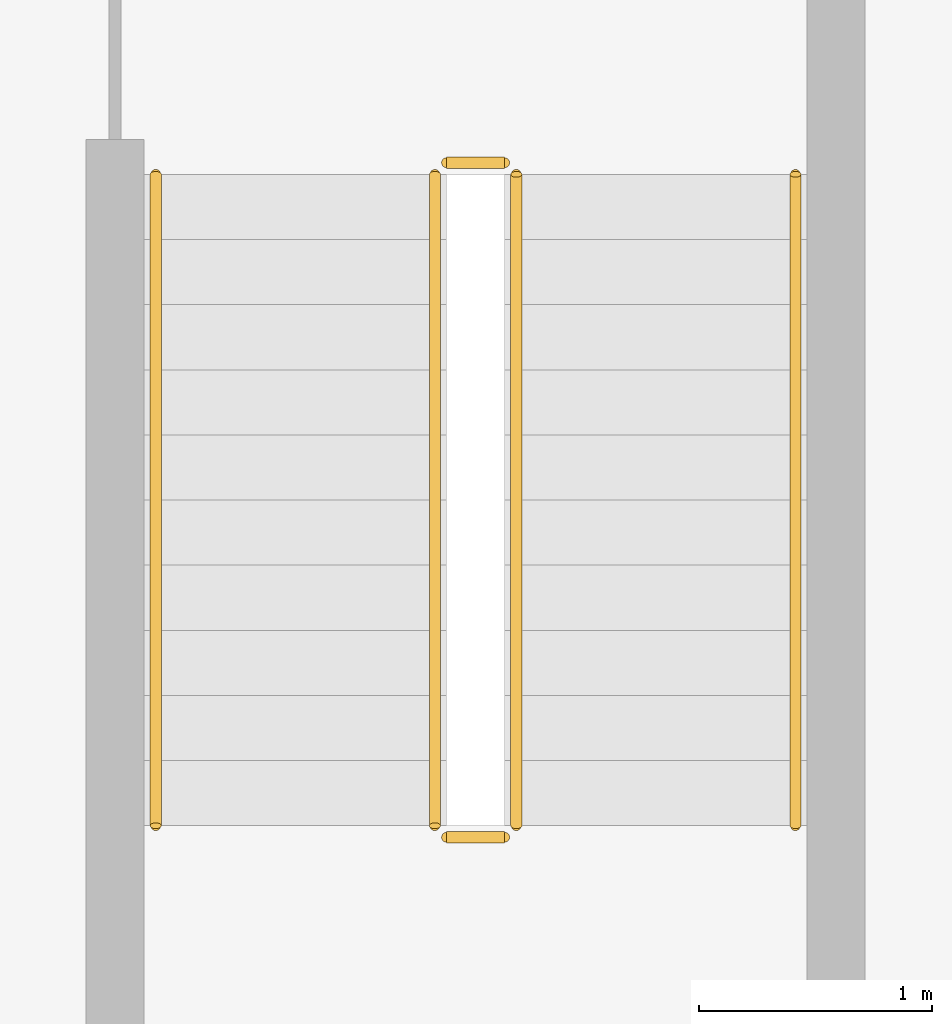
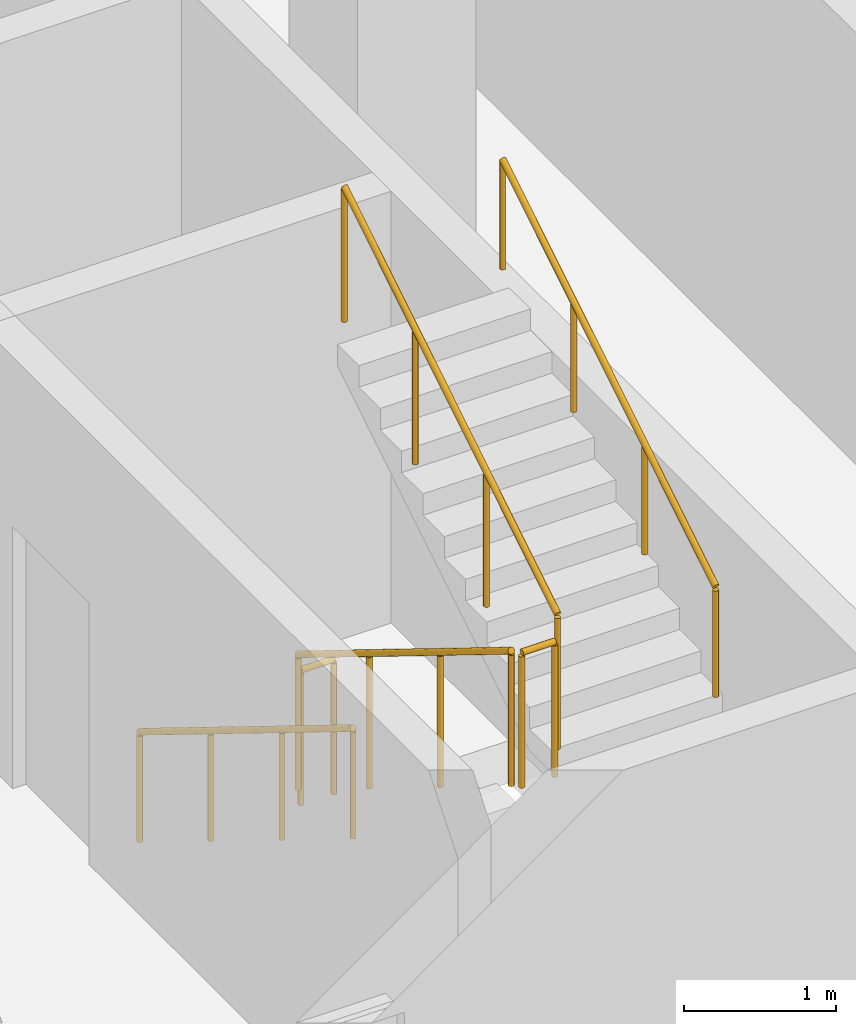
# One storey, part 25 of 28: 6 railings.
"""IFC4 building model written with IfcOpenShell, lengths in metres."""

import ifcopenshell
import ifcopenshell.guid

model = None  # the IFC model being written
_history = None  # IfcOwnerHistory: only IFC2X3 demands one
_inside = {}  # id of a spatial element -> (the spatial element, [elements in it])
_under = {}  # id of a project, library or spatial element -> (it, [spatial elements below it])
_declared = {}  # id of a project -> (the project, [libraries it declares])
_typed = {}  # id of a type object -> (the type object, [elements of that type])
_made_of = {}  # id of a material, layer set ... -> (it, [elements and type objects made of it])


def new_model(schema):
    """Start an empty IFC model of exactly this schema.

    Asked for "IFC4X3", IfcOpenShell would pick the latest addendum, in which some entities
    have other attributes; the version numbers below select the first issue.
    IFC2X3 requires an IfcOwnerHistory on every rooted entity: one is made here for all.
    """
    global model, _history
    if schema == "IFC4X3":
        model = ifcopenshell.file(schema_version=(4, 3, 0, 0))
    else:
        model = ifcopenshell.file(schema=schema)
    _inside.clear()
    _under.clear()
    _declared.clear()
    _typed.clear()
    _made_of.clear()
    _history = None
    if model.schema == "IFC2X3":
        org = make("IfcOrganization", Name="unknown")
        user = make(
            "IfcPersonAndOrganization",
            ThePerson=make("IfcPerson", FamilyName="unknown"),
            TheOrganization=org,
        )
        app = make(
            "IfcApplication",
            ApplicationDeveloper=org,
            Version="unknown",
            ApplicationFullName="unknown",
            ApplicationIdentifier="unknown",
        )
        _history = make(
            "IfcOwnerHistory",
            OwningUser=user,
            OwningApplication=app,
            ChangeAction="ADDED",
            CreationDate=0,
        )
    return model


def make(cls, **values):
    """One entity of the class cls with the attributes given. An attribute that is None is left unset."""
    return model.create_entity(
        cls, **{name: value for name, value in values.items() if value is not None}
    )


def rooted(cls, **values):
    """An entity with a GlobalId (a new one), such as an element, a storey or a relation."""
    return make(cls, GlobalId=ifcopenshell.guid.new(), OwnerHistory=_history, **values)


def si_unit(unit_type, name, prefix=None):
    """IfcSIUnit, for example si_unit("LENGTHUNIT", "METRE", prefix="MILLI")."""
    return make("IfcSIUnit", UnitType=unit_type, Prefix=prefix, Name=name)


def assignment(units):
    """IfcUnitAssignment: the units of a project."""
    return None if units is None else make("IfcUnitAssignment", Units=units)


def point(xyz):
    """IfcCartesianPoint."""
    return None if xyz is None else make("IfcCartesianPoint", Coordinates=xyz)


def direction(xyz):
    """IfcDirection."""
    return None if xyz is None else make("IfcDirection", DirectionRatios=xyz)


def frame(location, z_axis=None, x_axis=None):
    """IfcAxis2Placement3D, a coordinate frame: its origin and axes. An axis left out is left unset."""
    return make(
        "IfcAxis2Placement3D",
        Location=point(location),
        Axis=direction(z_axis),
        RefDirection=direction(x_axis),
    )


def frame_2d(location, x_axis=None):
    """IfcAxis2Placement2D, a coordinate frame in the plane: its origin and x axis."""
    return make(
        "IfcAxis2Placement2D", Location=point(location), RefDirection=direction(x_axis)
    )


def origin():
    """The frame at (0, 0, 0) with its axes left unset."""
    return frame((0.0, 0.0, 0.0))


def origin_2d():
    """The frame at (0, 0) in the plane with its x axis left unset."""
    return frame_2d((0.0, 0.0))


def place(relative_to, where):
    """IfcLocalPlacement: puts the frame where relative to a parent placement (None: the world)."""
    return make(
        "IfcLocalPlacement", PlacementRelTo=relative_to, RelativePlacement=where
    )


def context(
    kind, dimensions, precision=None, world=None, true_north=None, identifier=None
):
    """IfcGeometricRepresentationContext, for example the 3D "Model" context."""
    return make(
        "IfcGeometricRepresentationContext",
        ContextIdentifier=identifier,
        ContextType=kind,
        CoordinateSpaceDimension=dimensions,
        Precision=precision,
        WorldCoordinateSystem=world,
        TrueNorth=true_north,
    )


def subcontext(parent, identifier, kind, view, scale=None):
    """IfcGeometricRepresentationSubContext, for example "Body" below "Model"."""
    return make(
        "IfcGeometricRepresentationSubContext",
        ContextIdentifier=identifier,
        ContextType=kind,
        ParentContext=parent,
        TargetScale=scale,
        TargetView=view,
    )


def project(units=None, contexts=None):
    """IfcProject with its units and contexts."""
    return rooted(
        "IfcProject",
        Name="project",
        RepresentationContexts=contexts,
        UnitsInContext=assignment(units),
    )


def spatial(cls, under=None, at=None, **own):
    """A site, building, storey or space (cls), placed at a placement, below another one or the project."""
    s = rooted(cls, ObjectPlacement=at, **own)
    if under is not None:
        _under.setdefault(under.id(), (under, []))[1].append(s)
    return s


def profile(cls, at=None, kind="AREA", **sizes):
    """A parametric profile (cls). Its sizes go by their IFC names, for example OverallWidth=200.0."""
    return make(cls, ProfileType=kind, Position=at, **sizes)


def circle(**sizes):
    """IfcCircleProfileDef."""
    return profile("IfcCircleProfileDef", **sizes)


def extrude(swept, where, along, depth):
    """IfcExtrudedAreaSolid: the profile swept, set in the frame where, extruded along a direction by depth."""
    return make(
        "IfcExtrudedAreaSolid",
        SweptArea=swept,
        Position=where,
        ExtrudedDirection=direction(along),
        Depth=depth,
    )


def shape(context_of_items, identifier, shape_type, items):
    """IfcShapeRepresentation: the items that make up one representation, for example the "Body"."""
    return make(
        "IfcShapeRepresentation",
        ContextOfItems=context_of_items,
        RepresentationIdentifier=identifier,
        RepresentationType=shape_type,
        Items=items,
    )


def material(Name=None, Category=None):
    """IfcMaterial."""
    return make("IfcMaterial", Name=Name, Category=Category)


def made_of(thing, what):
    """Note that an element or type object is made of a material, layer set ...; save() writes the relation."""
    if what is not None:
        _made_of.setdefault(what.id(), (what, []))[1].append(thing)
    return thing


def type_object(cls, material=None, **own):
    """A type object (cls), such as IfcWallType, which elements share."""
    return made_of(rooted(cls, **own), material)


def element(
    cls,
    number,
    at=None,
    inside=None,
    cuts=None,
    type_object=None,
    material=None,
    context=None,
    identifier="Body",
    shape_type=None,
    held_by="IfcProductDefinitionShape",
    body=None,
    shapes=None,
    **own,
):
    """One element of the class cls, such as IfcWall. Its Tag is "e" and its number.

    at: its placement. inside: the storey or other place that contains it. cuts: it is an
    opening in that element (IfcRelVoidsElement). A single representation is given by context,
    identifier, shape_type and body (its items); several are given by shapes. held_by: the class
    of the entity that holds the representations. save() writes the other relations.
    """
    e = rooted(cls, Tag="e%d" % number, ObjectPlacement=at, **own)
    if body is not None:
        shapes = [shape(context, identifier, shape_type, body)]
    if shapes is not None:
        e.Representation = make(held_by, Representations=shapes)
    if inside is not None:
        _inside.setdefault(inside.id(), (inside, []))[1].append(e)
    if cuts is not None:
        rooted(
            "IfcRelVoidsElement", RelatingBuildingElement=cuts, RelatedOpeningElement=e
        )
    if type_object is not None:
        _typed.setdefault(type_object.id(), (type_object, []))[1].append(e)
    return made_of(e, material)


def aggregate(whole, parts):
    """IfcRelAggregates: a whole, such as a stair, and the parts it consists of."""
    return rooted("IfcRelAggregates", RelatingObject=whole, RelatedObjects=parts)


def save(model, path):
    """Write the relations noted so far, then the file.

    IfcRelAggregates (storeys below a building ...), IfcRelContainedInSpatialStructure (elements
    in a storey), IfcRelDefinesByType, IfcRelAssociatesMaterial and IfcRelDeclares: one each for
    every whole, place, type object, material and project.
    """
    for whole, parts in _under.values():
        aggregate(whole, parts)
    for where, things in _inside.values():
        rooted(
            "IfcRelContainedInSpatialStructure",
            RelatedElements=things,
            RelatingStructure=where,
        )
    for kind, things in _typed.values():
        rooted("IfcRelDefinesByType", RelatedObjects=things, RelatingType=kind)
    for what, things in _made_of.values():
        rooted("IfcRelAssociatesMaterial", RelatedObjects=things, RelatingMaterial=what)
    for by, libraries in _declared.values():
        rooted("IfcRelDeclares", RelatingContext=by, RelatedDefinitions=libraries)
    model.write(path)


model = new_model("IFC4")

# Units and contexts
model_context = context("Model", 3, precision=1e-05, world=origin(), true_north=direction((0.0, 1.0)))
body_context = subcontext(model_context, "Body", "Model", "MODEL_VIEW")
ifc_project = project(units=[si_unit("LENGTHUNIT", "METRE"), si_unit("AREAUNIT", "SQUARE_METRE"), si_unit("VOLUMEUNIT", "CUBIC_METRE"), si_unit("PLANEANGLEUNIT", "RADIAN"), si_unit("MASSUNIT", "GRAM", prefix="KILO")], contexts=[model_context])

# Site, building, storey
site_placement = place(None, origin())
site = spatial("IfcSite", under=ifc_project, at=site_placement, CompositionType="ELEMENT")
building_placement = place(site_placement, origin())
building = spatial("IfcBuilding", under=site, at=building_placement, Name="Mahtab Terrace Research Tower", CompositionType="ELEMENT")
storey_placement = place(building_placement, frame((0.0, 0.0, 270.89990234375)))
storey = spatial("IfcBuildingStorey", under=building, at=storey_placement, Name="L66", CompositionType="ELEMENT", Elevation=270.89990234375)

# Railings
ifc_material = material(Name="Stainless steel AISI 304", Category="steel")
railing_type_1 = type_object("IfcRailingType", Name="Stair guard 1100", PredefinedType="GUARDRAIL", material=ifc_material)
railing_1_placement = place(storey_placement, frame((2.949951171875, -4.175048828125, 0.1728515625)))
element("IfcRailing", 1, at=railing_1_placement, inside=storey, type_object=railing_type_1, Name="L66 ST2 stair guard 1", PredefinedType="GUARDRAIL", context=body_context, shape_type="SweptSolid", body=[
    extrude(circle(Radius=0.02392578125, at=origin_2d()), frame((0.0, 0.0, 1.076171875), z_axis=(0.0, -0.851089632645, 0.525020415988), x_axis=(1.0, 0.0, 0.0)), (0.0, 0.0, 1.0), 3.2900390625),
    extrude(circle(Radius=0.02099609375, at=origin_2d()), origin(), (0.0, 0.0, 1.0), 1.052001953125),
    extrude(circle(Radius=0.02099609375, at=origin_2d()), frame((0.0, -0.933349609375, 0.57568359375)), (0.0, 0.0, 1.0), 1.052001953125),
    extrude(circle(Radius=0.02099609375, at=origin_2d()), frame((0.0, -1.86669921875, 1.151611328125)), (0.0, 0.0, 1.0), 1.052001953125),
    extrude(circle(Radius=0.02099609375, at=origin_2d()), frame((0.0, -2.800048828125, 1.727294921875)), (0.0, 0.0, 1.0), 1.052001953125),
])
railing_2_placement = place(storey_placement, frame((3.0, -7.02490234375, 1.900146484375)))
element("IfcRailing", 2, at=railing_2_placement, inside=storey, type_object=railing_type_1, Name="L66 ST2 stair guard 2", PredefinedType="GUARDRAIL", context=body_context, shape_type="SweptSolid", body=[
    extrude(circle(Radius=0.02392578125, at=origin_2d()), frame((0.0, 0.0, 1.076171875), z_axis=(1.0, 0.0, 0.0), x_axis=(0.0, 1.0, 0.0)), (0.0, 0.0, 1.0), 0.25),
    extrude(circle(Radius=0.02099609375, at=origin_2d()), origin(), (0.0, 0.0, 1.0), 1.052001953125),
    extrude(circle(Radius=0.02099609375, at=origin_2d()), frame((0.25, 0.0, 0.0)), (0.0, 0.0, 1.0), 1.052001953125),
])
railing_3_placement = place(storey_placement, frame((3.300048828125, -6.97509765625, 2.07275390625)))
element("IfcRailing", 3, at=railing_3_placement, inside=storey, type_object=railing_type_1, Name="L66 ST2 stair guard 3", PredefinedType="GUARDRAIL", context=body_context, shape_type="SweptSolid", body=[
    extrude(circle(Radius=0.02392578125, at=origin_2d()), frame((0.0, 0.0, 1.076171875), z_axis=(0.0, 0.851089632645, 0.525020415988), x_axis=(-1.0, 0.0, 0.0)), (0.0, 0.0, 1.0), 3.2900390625),
    extrude(circle(Radius=0.02099609375, at=origin_2d()), origin(), (0.0, 0.0, 1.0), 1.052001953125),
    extrude(circle(Radius=0.02099609375, at=origin_2d()), frame((0.0, 0.933349609375, 0.57568359375)), (0.0, 0.0, 1.0), 1.052001953125),
    extrude(circle(Radius=0.02099609375, at=origin_2d()), frame((0.0, 1.86669921875, 1.151611328125)), (0.0, 0.0, 1.0), 1.052001953125),
    extrude(circle(Radius=0.02099609375, at=origin_2d()), frame((0.0, 2.800048828125, 1.727294921875)), (0.0, 0.0, 1.0), 1.052001953125),
])
railing_4_placement = place(storey_placement, frame((3.0, -4.125, 0.0)))
element("IfcRailing", 4, at=railing_4_placement, inside=storey, type_object=railing_type_1, Name="L66 ST2 stair guard 4", PredefinedType="GUARDRAIL", context=body_context, shape_type="SweptSolid", body=[
    extrude(circle(Radius=0.02392578125, at=origin_2d()), frame((0.0, 0.0, 1.076171875), z_axis=(1.0, 0.0, 0.0), x_axis=(0.0, 1.0, 0.0)), (0.0, 0.0, 1.0), 0.25),
    extrude(circle(Radius=0.02099609375, at=origin_2d()), origin(), (0.0, 0.0, 1.0), 1.052001953125),
    extrude(circle(Radius=0.02099609375, at=origin_2d()), frame((0.25, 0.0, 0.0)), (0.0, 0.0, 1.0), 1.052001953125),
])
railing_type_2 = type_object("IfcRailingType", Name="Stair handrail 900", PredefinedType="HANDRAIL", material=ifc_material)
railing_5_placement = place(storey_placement, frame((1.75, -4.175048828125, 0.1728515625)))
element("IfcRailing", 5, at=railing_5_placement, inside=storey, type_object=railing_type_2, Name="L66 ST2 stair handrail 1", PredefinedType="HANDRAIL", context=body_context, shape_type="SweptSolid", body=[
    extrude(circle(Radius=0.02392578125, at=origin_2d()), frame((0.0, 0.0, 0.8759765625), z_axis=(0.0, -0.851089632645, 0.525020415988), x_axis=(1.0, 0.0, 0.0)), (0.0, 0.0, 1.0), 3.2900390625),
    extrude(circle(Radius=0.02099609375, at=origin_2d()), origin(), (0.0, 0.0, 1.0), 0.851806640625),
    extrude(circle(Radius=0.02099609375, at=origin_2d()), frame((0.0, -0.933349609375, 0.57568359375)), (0.0, 0.0, 1.0), 0.851806640625),
    extrude(circle(Radius=0.02099609375, at=origin_2d()), frame((0.0, -1.86669921875, 1.151611328125)), (0.0, 0.0, 1.0), 0.851806640625),
    extrude(circle(Radius=0.02099609375, at=origin_2d()), frame((0.0, -2.800048828125, 1.727294921875)), (0.0, 0.0, 1.0), 0.851806640625),
])
railing_6_placement = place(storey_placement, frame((4.5, -6.97509765625, 2.07275390625)))
element("IfcRailing", 6, at=railing_6_placement, inside=storey, type_object=railing_type_2, Name="L66 ST2 stair handrail 2", PredefinedType="HANDRAIL", context=body_context, shape_type="SweptSolid", body=[
    extrude(circle(Radius=0.02392578125, at=origin_2d()), frame((0.0, 0.0, 0.8759765625), z_axis=(0.0, 0.851089632645, 0.525020415988), x_axis=(-1.0, 0.0, 0.0)), (0.0, 0.0, 1.0), 3.2900390625),
    extrude(circle(Radius=0.02099609375, at=origin_2d()), origin(), (0.0, 0.0, 1.0), 0.851806640625),
    extrude(circle(Radius=0.02099609375, at=origin_2d()), frame((0.0, 0.933349609375, 0.57568359375)), (0.0, 0.0, 1.0), 0.851806640625),
    extrude(circle(Radius=0.02099609375, at=origin_2d()), frame((0.0, 1.86669921875, 1.151611328125)), (0.0, 0.0, 1.0), 0.851806640625),
    extrude(circle(Radius=0.02099609375, at=origin_2d()), frame((0.0, 2.800048828125, 1.727294921875)), (0.0, 0.0, 1.0), 0.851806640625),
])

save(model, "model.ifc")
